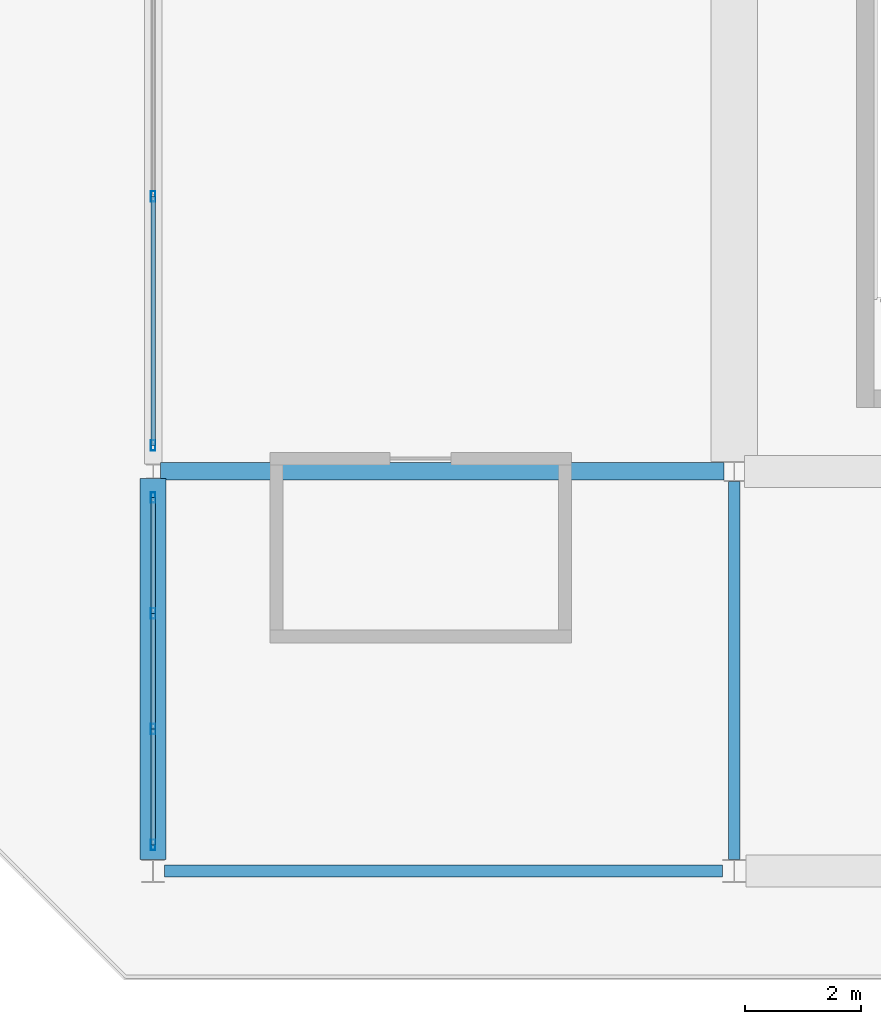
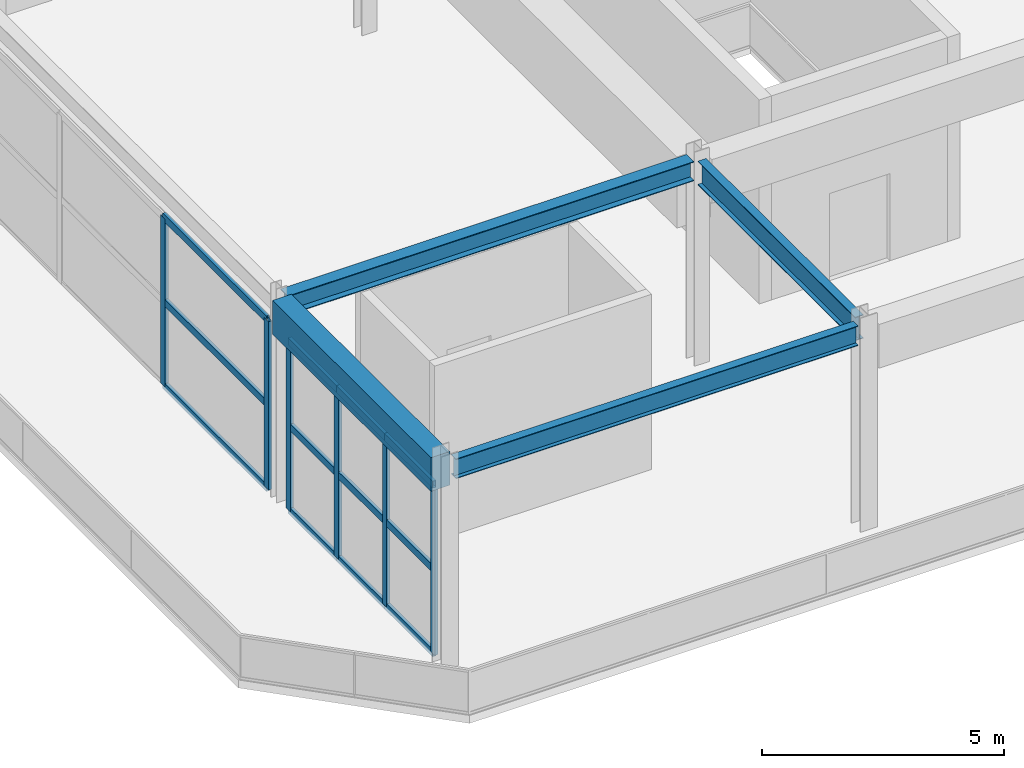
# One storey, part 22 of 117: 18 members, 4 beams, 2 elements without a shape of their own.
"""IFC4 building model written with IfcOpenShell, lengths in metres."""

from ifc_helpers import new_model, si_unit, direction, frame, origin, origin_2d, place, context, subcontext, project, spatial, rectangle, hollow_rectangle, i_section, extrude, material, material_profile, profile_set, type_object, element, aggregate, save


model = new_model("IFC4")

# Units and contexts
model_context = context("Model", 3, precision=1e-05, world=origin(), true_north=direction((0.0, 1.0)))
body_context = subcontext(model_context, "Body", "Model", "MODEL_VIEW")
ifc_project = project(units=[si_unit("LENGTHUNIT", "METRE"), si_unit("AREAUNIT", "SQUARE_METRE"), si_unit("VOLUMEUNIT", "CUBIC_METRE"), si_unit("PLANEANGLEUNIT", "RADIAN"), si_unit("MASSUNIT", "GRAM", prefix="KILO")], contexts=[model_context])

# Site, building, storey
site_placement = place(None, origin())
site = spatial("IfcSite", under=ifc_project, at=site_placement, CompositionType="ELEMENT")
building_placement = place(site_placement, origin())
building = spatial("IfcBuilding", under=site, at=building_placement, Name="Linyun Crest Stadium", CompositionType="ELEMENT")
storey_placement = place(building_placement, frame((0.0, 0.0, 6.0)))
storey = spatial("IfcBuildingStorey", under=building, at=storey_placement, Name="L02", CompositionType="ELEMENT", Elevation=6.0)

# Beams
ifc_material_1 = material(Name="Concrete C40", Category="concrete")
ifc_material_profile_1 = material_profile(ifc_material_1, rectangle(XDim=0.449951171875, YDim=0.85009765625, at=origin_2d()), Name="RCB 850x450")
ifc_profile_set_1 = profile_set([ifc_material_profile_1], Name="Concrete C40")
beam_type_1 = type_object("IfcBeamType", Name="B04", PredefinedType="BEAM", material=ifc_profile_set_1)
beam_1_placement = place(storey_placement, frame((-94.0, -93.925048828125, 4.72509765625), z_axis=(0.0, 1.0, 0.0), x_axis=(-1.0, 0.0, 0.0)))
element("IfcBeam", 1, at=beam_1_placement, inside=storey, type_object=beam_type_1, Name="Frame beam B04 L02 1098", PredefinedType="BEAM", context=body_context, shape_type="SweptSolid", body=[
    extrude(rectangle(XDim=0.449951171875, YDim=0.85009765625, at=origin_2d()), origin(), (0.0, 0.0, 1.0), 6.550048828125),
])
ifc_material_2 = material(Name="Steel Q355C", Category="steel")
ifc_material_profile_2 = material_profile(ifc_material_2, i_section(OverallWidth=0.300048828125, OverallDepth=0.488037109375, WebThickness=0.010986328125, FlangeThickness=0.01806640625, at=origin_2d()), Name="HM 488x300")
ifc_profile_set_2 = profile_set([ifc_material_profile_2], Name="Steel Q355C")
beam_type_2 = type_object("IfcBeamType", Name="B08", PredefinedType="BEAM", material=ifc_profile_set_2)
beam_2_placement = place(storey_placement, frame((-93.875, -87.25, 4.906005859375), z_axis=(1.0, 0.0, 0.0), x_axis=(0.0, 1.0, 0.0)))
element("IfcBeam", 2, at=beam_2_placement, inside=storey, type_object=beam_type_2, Name="Frame beam B08 L02 1087", PredefinedType="BEAM", context=body_context, shape_type="SweptSolid", body=[
    extrude(i_section(OverallWidth=0.300048828125, OverallDepth=0.488037109375, WebThickness=0.010986328125, FlangeThickness=0.01806640625, at=origin_2d()), origin(), (0.0, 0.0, 1.0), 9.699951171875),
])
ifc_material_3 = material(Name="Steel Q355C", Category="steel")
ifc_material_profile_3 = material_profile(ifc_material_3, i_section(OverallWidth=0.199951171875, OverallDepth=0.5, WebThickness=0.010009765625, FlangeThickness=0.01611328125, at=origin_2d()), Name="HN 500x200")
ifc_profile_set_3 = profile_set([ifc_material_profile_3], Name="Steel Q355C")
beam_type_3 = type_object("IfcBeamType", Name="B10", PredefinedType="BEAM", material=ifc_profile_set_3)
beam_3_placement = place(storey_placement, frame((-93.800048828125, -94.125, 4.89990234375), z_axis=(1.0, 0.0, 0.0), x_axis=(0.0, 1.0, 0.0)))
element("IfcBeam", 3, at=beam_3_placement, inside=storey, type_object=beam_type_3, Name="Frame beam B10 L02 1081", PredefinedType="BEAM", context=body_context, shape_type="SweptSolid", body=[
    extrude(i_section(OverallWidth=0.199951171875, OverallDepth=0.5, WebThickness=0.010009765625, FlangeThickness=0.01611328125, at=origin_2d()), origin(), (0.0, 0.0, 1.0), 9.60009765625),
])
ifc_material_4 = material(Name="Steel Q355C", Category="steel")
ifc_material_profile_4 = material_profile(ifc_material_4, i_section(OverallWidth=0.199951171875, OverallDepth=0.60009765625, WebThickness=0.010986328125, FlangeThickness=0.01708984375, at=origin_2d()), Name="HN 600x200")
ifc_profile_set_4 = profile_set([ifc_material_profile_4], Name="Steel Q355C")
beam_type_4 = type_object("IfcBeamType", Name="B11", PredefinedType="BEAM", material=ifc_profile_set_4)
beam_4_placement = place(storey_placement, frame((-84.0, -93.925048828125, 4.85009765625), z_axis=(0.0, 1.0, 0.0), x_axis=(-1.0, 0.0, 0.0)))
element("IfcBeam", 4, at=beam_4_placement, inside=storey, type_object=beam_type_4, Name="Frame beam B11 L02 1101", PredefinedType="BEAM", context=body_context, shape_type="SweptSolid", body=[
    extrude(i_section(OverallWidth=0.199951171875, OverallDepth=0.60009765625, WebThickness=0.010986328125, FlangeThickness=0.01708984375, at=origin_2d()), origin(), (0.0, 0.0, 1.0), 6.5),
])

# Curtain wall, members
ifc_material_5 = material(Name="Verdigris steel and low-E curtain wall assembly", Category="steel")
curtain_wall_type = type_object("IfcCurtainWallType", Name="MCW05", PredefinedType="NOTDEFINED", material=ifc_material_5)
curtain_wall_1_placement = place(storey_placement, origin())
curtain_wall_1 = element("IfcCurtainWall", 5, at=curtain_wall_1_placement, inside=storey, type_object=curtain_wall_type, Name="CWR-155", PredefinedType="NOTDEFINED")
ifc_material_6 = material(Name="Verdigris painted steel Q355B mullion", Category="steel")
ifc_material_profile_5 = material_profile(ifc_material_6, hollow_rectangle(XDim=0.080078125, YDim=0.179931640625, WallThickness=0.006103515625, at=origin_2d()), Name="RHS 180x80x6")
ifc_profile_set_5 = profile_set([ifc_material_profile_5], Name="Verdigris painted steel Q355B mullion")
member_type_1 = type_object("IfcMemberType", Name="ML02", PredefinedType="MULLION", material=ifc_profile_set_5)
member_1_placement = place(storey_placement, frame((-94.0, -93.675048828125, 0.0), z_axis=(0.0, 0.0, 1.0), x_axis=(-1.0, 0.0, 0.0)))
member_1 = element("IfcMember", 6, at=member_1_placement, type_object=member_type_1, Name="CWR-155 mullion 1", PredefinedType="MULLION", context=body_context, shape_type="SweptSolid", body=[
    extrude(hollow_rectangle(XDim=0.080078125, YDim=0.179931640625, WallThickness=0.006103515625, at=origin_2d()), origin(), (0.0, 0.0, 1.0), 4.25),
])
member_2_placement = place(storey_placement, frame((-94.0, -91.68310546875, 0.0), z_axis=(0.0, 0.0, 1.0), x_axis=(-1.0, 0.0, 0.0)))
member_2 = element("IfcMember", 7, at=member_2_placement, type_object=member_type_1, Name="CWR-155 mullion 2", PredefinedType="MULLION", context=body_context, shape_type="SweptSolid", body=[
    extrude(hollow_rectangle(XDim=0.080078125, YDim=0.179931640625, WallThickness=0.006103515625, at=origin_2d()), origin(), (0.0, 0.0, 1.0), 4.25),
])
member_3_placement = place(storey_placement, frame((-94.0, -89.69189453125, 0.0), z_axis=(0.0, 0.0, 1.0), x_axis=(-1.0, 0.0, 0.0)))
member_3 = element("IfcMember", 8, at=member_3_placement, type_object=member_type_1, Name="CWR-155 mullion 3", PredefinedType="MULLION", context=body_context, shape_type="SweptSolid", body=[
    extrude(hollow_rectangle(XDim=0.080078125, YDim=0.179931640625, WallThickness=0.006103515625, at=origin_2d()), origin(), (0.0, 0.0, 1.0), 4.25),
])
member_4_placement = place(storey_placement, frame((-94.0, -87.699951171875, 0.0), z_axis=(0.0, 0.0, 1.0), x_axis=(-1.0, 0.0, 0.0)))
member_4 = element("IfcMember", 9, at=member_4_placement, type_object=member_type_1, Name="CWR-155 mullion 4", PredefinedType="MULLION", context=body_context, shape_type="SweptSolid", body=[
    extrude(hollow_rectangle(XDim=0.080078125, YDim=0.179931640625, WallThickness=0.006103515625, at=origin_2d()), origin(), (0.0, 0.0, 1.0), 4.25),
])

curtain_wall_2_placement = place(storey_placement, origin())
curtain_wall_2 = element("IfcCurtainWall", 10, at=curtain_wall_2_placement, inside=storey, type_object=curtain_wall_type, Name="CWR-156", PredefinedType="NOTDEFINED")
member_5_placement = place(storey_placement, frame((-94.0, -86.800048828125, 0.0), z_axis=(0.0, 0.0, 1.0), x_axis=(-1.0, 0.0, 0.0)))
member_5 = element("IfcMember", 11, at=member_5_placement, type_object=member_type_1, Name="CWR-156 mullion 1", PredefinedType="MULLION", context=body_context, shape_type="SweptSolid", body=[
    extrude(hollow_rectangle(XDim=0.080078125, YDim=0.179931640625, WallThickness=0.006103515625, at=origin_2d()), origin(), (0.0, 0.0, 1.0), 4.25),
])
member_6_placement = place(storey_placement, frame((-94.0, -82.51708984375, 0.0), z_axis=(0.0, 0.0, 1.0), x_axis=(-1.0, 0.0, 0.0)))
member_6 = element("IfcMember", 12, at=member_6_placement, type_object=member_type_1, Name="CWR-156 mullion 2", PredefinedType="MULLION", context=body_context, shape_type="SweptSolid", body=[
    extrude(hollow_rectangle(XDim=0.080078125, YDim=0.179931640625, WallThickness=0.006103515625, at=origin_2d()), origin(), (0.0, 0.0, 1.0), 4.25),
])

# Member
ifc_material_7 = material(Name="Verdigris painted steel Q355B transom", Category="steel")
ifc_material_profile_6 = material_profile(ifc_material_7, hollow_rectangle(XDim=0.080078125, YDim=0.179931640625, WallThickness=0.006103515625, at=origin_2d()), Name="RHS 180x80x6")
ifc_profile_set_6 = profile_set([ifc_material_profile_6], Name="Verdigris painted steel Q355B transom")
member_type_2 = type_object("IfcMemberType", Name="TR02", PredefinedType="USERDEFINED", material=ifc_profile_set_6)
member_7_placement = place(storey_placement, frame((-94.0, -93.675048828125, 0.0), z_axis=(0.0, 1.0, 0.0), x_axis=(-1.0, 0.0, 0.0)))
member_7 = element("IfcMember", 13, at=member_7_placement, type_object=member_type_2, Name="CWR-155 transom 1.1", ObjectType="TRANSOM", PredefinedType="USERDEFINED", context=body_context, shape_type="SweptSolid", body=[
    extrude(hollow_rectangle(XDim=0.080078125, YDim=0.179931640625, WallThickness=0.006103515625, at=origin_2d()), origin(), (0.0, 0.0, 1.0), 1.991943359375),
])

member_8_placement = place(storey_placement, frame((-94.0, -93.675048828125, 2.125), z_axis=(0.0, 1.0, 0.0), x_axis=(-1.0, 0.0, 0.0)))
member_8 = element("IfcMember", 14, at=member_8_placement, type_object=member_type_2, Name="CWR-155 transom 1.2", ObjectType="TRANSOM", PredefinedType="USERDEFINED", context=body_context, shape_type="SweptSolid", body=[
    extrude(hollow_rectangle(XDim=0.080078125, YDim=0.179931640625, WallThickness=0.006103515625, at=origin_2d()), origin(), (0.0, 0.0, 1.0), 1.991943359375),
])

member_9_placement = place(storey_placement, frame((-94.0, -93.675048828125, 4.25), z_axis=(0.0, 1.0, 0.0), x_axis=(-1.0, 0.0, 0.0)))
member_9 = element("IfcMember", 15, at=member_9_placement, type_object=member_type_2, Name="CWR-155 transom 1.3", ObjectType="TRANSOM", PredefinedType="USERDEFINED", context=body_context, shape_type="SweptSolid", body=[
    extrude(hollow_rectangle(XDim=0.080078125, YDim=0.179931640625, WallThickness=0.006103515625, at=origin_2d()), origin(), (0.0, 0.0, 1.0), 1.991943359375),
])

member_10_placement = place(storey_placement, frame((-94.0, -91.68310546875, 0.0), z_axis=(0.0, 1.0, 0.0), x_axis=(-1.0, 0.0, 0.0)))
member_10 = element("IfcMember", 16, at=member_10_placement, type_object=member_type_2, Name="CWR-155 transom 2.1", ObjectType="TRANSOM", PredefinedType="USERDEFINED", context=body_context, shape_type="SweptSolid", body=[
    extrude(hollow_rectangle(XDim=0.080078125, YDim=0.179931640625, WallThickness=0.006103515625, at=origin_2d()), origin(), (0.0, 0.0, 1.0), 1.9912109375),
])

member_11_placement = place(storey_placement, frame((-94.0, -91.68310546875, 2.125), z_axis=(0.0, 1.0, 0.0), x_axis=(-1.0, 0.0, 0.0)))
member_11 = element("IfcMember", 17, at=member_11_placement, type_object=member_type_2, Name="CWR-155 transom 2.2", ObjectType="TRANSOM", PredefinedType="USERDEFINED", context=body_context, shape_type="SweptSolid", body=[
    extrude(hollow_rectangle(XDim=0.080078125, YDim=0.179931640625, WallThickness=0.006103515625, at=origin_2d()), origin(), (0.0, 0.0, 1.0), 1.9912109375),
])

member_12_placement = place(storey_placement, frame((-94.0, -91.68310546875, 4.25), z_axis=(0.0, 1.0, 0.0), x_axis=(-1.0, 0.0, 0.0)))
member_12 = element("IfcMember", 18, at=member_12_placement, type_object=member_type_2, Name="CWR-155 transom 2.3", ObjectType="TRANSOM", PredefinedType="USERDEFINED", context=body_context, shape_type="SweptSolid", body=[
    extrude(hollow_rectangle(XDim=0.080078125, YDim=0.179931640625, WallThickness=0.006103515625, at=origin_2d()), origin(), (0.0, 0.0, 1.0), 1.9912109375),
])

member_13_placement = place(storey_placement, frame((-94.0, -89.69189453125, 0.0), z_axis=(0.0, 1.0, 0.0), x_axis=(-1.0, 0.0, 0.0)))
member_13 = element("IfcMember", 19, at=member_13_placement, type_object=member_type_2, Name="CWR-155 transom 3.1", ObjectType="TRANSOM", PredefinedType="USERDEFINED", context=body_context, shape_type="SweptSolid", body=[
    extrude(hollow_rectangle(XDim=0.080078125, YDim=0.179931640625, WallThickness=0.006103515625, at=origin_2d()), origin(), (0.0, 0.0, 1.0), 1.991943359375),
])

member_14_placement = place(storey_placement, frame((-94.0, -89.69189453125, 2.125), z_axis=(0.0, 1.0, 0.0), x_axis=(-1.0, 0.0, 0.0)))
member_14 = element("IfcMember", 20, at=member_14_placement, type_object=member_type_2, Name="CWR-155 transom 3.2", ObjectType="TRANSOM", PredefinedType="USERDEFINED", context=body_context, shape_type="SweptSolid", body=[
    extrude(hollow_rectangle(XDim=0.080078125, YDim=0.179931640625, WallThickness=0.006103515625, at=origin_2d()), origin(), (0.0, 0.0, 1.0), 1.991943359375),
])

member_15_placement = place(storey_placement, frame((-94.0, -89.69189453125, 4.25), z_axis=(0.0, 1.0, 0.0), x_axis=(-1.0, 0.0, 0.0)))
member_15 = element("IfcMember", 21, at=member_15_placement, type_object=member_type_2, Name="CWR-155 transom 3.3", ObjectType="TRANSOM", PredefinedType="USERDEFINED", context=body_context, shape_type="SweptSolid", body=[
    extrude(hollow_rectangle(XDim=0.080078125, YDim=0.179931640625, WallThickness=0.006103515625, at=origin_2d()), origin(), (0.0, 0.0, 1.0), 1.991943359375),
])

aggregate(curtain_wall_1, [member_1, member_2, member_3, member_4, member_7, member_8, member_9, member_10, member_11, member_12, member_13, member_14, member_15])

member_16_placement = place(storey_placement, frame((-94.0, -86.800048828125, 0.0), z_axis=(0.0, 1.0, 0.0), x_axis=(-1.0, 0.0, 0.0)))
member_16 = element("IfcMember", 22, at=member_16_placement, type_object=member_type_2, Name="CWR-156 transom 1.1", ObjectType="TRANSOM", PredefinedType="USERDEFINED", context=body_context, shape_type="SweptSolid", body=[
    extrude(hollow_rectangle(XDim=0.080078125, YDim=0.179931640625, WallThickness=0.006103515625, at=origin_2d()), origin(), (0.0, 0.0, 1.0), 4.282958984375),
])

member_17_placement = place(storey_placement, frame((-94.0, -86.800048828125, 2.125), z_axis=(0.0, 1.0, 0.0), x_axis=(-1.0, 0.0, 0.0)))
member_17 = element("IfcMember", 23, at=member_17_placement, type_object=member_type_2, Name="CWR-156 transom 1.2", ObjectType="TRANSOM", PredefinedType="USERDEFINED", context=body_context, shape_type="SweptSolid", body=[
    extrude(hollow_rectangle(XDim=0.080078125, YDim=0.179931640625, WallThickness=0.006103515625, at=origin_2d()), origin(), (0.0, 0.0, 1.0), 4.282958984375),
])

member_18_placement = place(storey_placement, frame((-94.0, -86.800048828125, 4.25), z_axis=(0.0, 1.0, 0.0), x_axis=(-1.0, 0.0, 0.0)))
member_18 = element("IfcMember", 24, at=member_18_placement, type_object=member_type_2, Name="CWR-156 transom 1.3", ObjectType="TRANSOM", PredefinedType="USERDEFINED", context=body_context, shape_type="SweptSolid", body=[
    extrude(hollow_rectangle(XDim=0.080078125, YDim=0.179931640625, WallThickness=0.006103515625, at=origin_2d()), origin(), (0.0, 0.0, 1.0), 4.282958984375),
])

aggregate(curtain_wall_2, [member_5, member_6, member_16, member_17, member_18])

save(model, "model.ifc")
